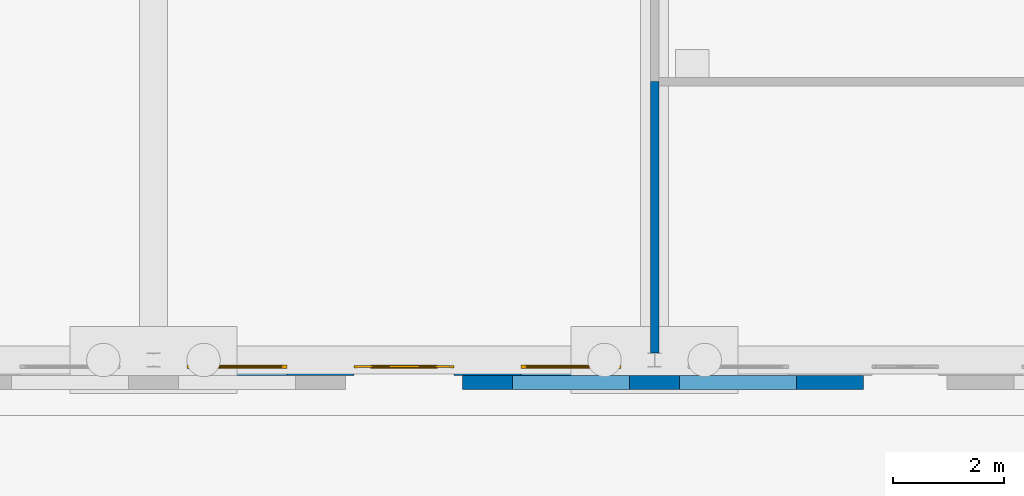
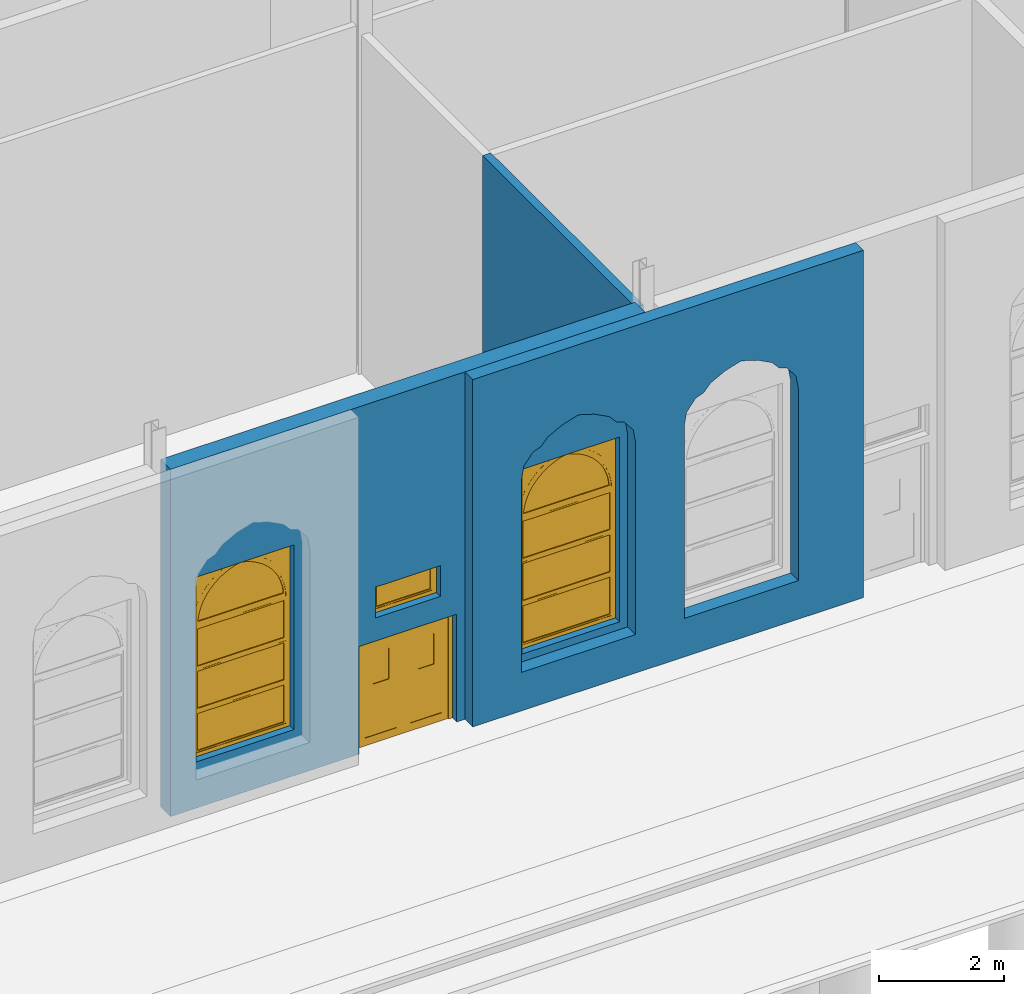
# One storey, part 92 of 250: 3 walls, 3 windows, 1 door, 4 openings.
"""IFC4 building model written with IfcOpenShell, lengths in metres."""

from ifc_helpers import new_model, si_unit, direction, frame, frame_2d, origin, place, context, subcontext, project, spatial, polyline, rectangle, outline, extrude, material, layer, layer_set, type_object, element, fill, save


model = new_model("IFC4")

# Units and contexts
model_context = context("Model", 3, precision=1e-05, world=origin(), true_north=direction((0.0, 1.0)))
body_context = subcontext(model_context, "Body", "Model", "MODEL_VIEW")
ifc_project = project(units=[si_unit("LENGTHUNIT", "METRE"), si_unit("AREAUNIT", "SQUARE_METRE"), si_unit("VOLUMEUNIT", "CUBIC_METRE"), si_unit("PLANEANGLEUNIT", "RADIAN"), si_unit("MASSUNIT", "GRAM", prefix="KILO")], contexts=[model_context])

# Site, building, storey
site_placement = place(None, origin())
site = spatial("IfcSite", under=ifc_project, at=site_placement, CompositionType="ELEMENT")
building_placement = place(site_placement, origin())
building = spatial("IfcBuilding", under=site, at=building_placement, Name="Baradari Gate Terminus", CompositionType="ELEMENT")
storey_placement = place(building_placement, origin())
storey = spatial("IfcBuildingStorey", under=building, at=storey_placement, Name="L00", CompositionType="ELEMENT", Elevation=0.0)

# Walls
ifc_material_1 = material(Name="Laterite masonry", Category="masonry")
ifc_layer_1 = layer(ifc_material_1, 0.25)
ifc_layer_set_1 = layer_set([ifc_layer_1], Name="Laterite masonry")
wall_type_1 = type_object("IfcWallType", Name="Laterite masonry wall WP-1 250", PredefinedType="SOLIDWALL", material=ifc_layer_set_1)
wall_1_placement = place(storey_placement, frame((86.550048828125, 8.594970703125, 0.0), z_axis=(0.0, 0.0, 1.0), x_axis=(1.0, 0.0, 0.0)))
element("IfcWall", 1, at=wall_1_placement, inside=storey, type_object=wall_type_1, Name="Front course SS 2c 1", PredefinedType="SOLIDWALL", context=body_context, shape_type="SweptSolid", body=[
    extrude(outline(polyline([(0.0, 0.0), (7.199951171875, 0.0), (7.199951171875, 6.767333984375), (0.0, 6.767333984375), (0.0, 0.0)]), holes=[polyline([(0.89990234375, 4.5), (0.94189453125, 4.751953125), (1.110107421875, 4.968017578125), (1.257080078125, 5.02197265625), (1.383056640625, 5.166015625), (1.656005859375, 5.31005859375), (1.949951171875, 5.39990234375), (2.243896484375, 5.31005859375), (2.51708984375, 5.166015625), (2.64306640625, 5.02197265625), (2.7900390625, 4.968017578125), (2.9580078125, 4.751953125), (3.0, 4.5), (3.0, 0.75), (0.89990234375, 0.75), (0.89990234375, 4.5)]), polyline([(3.89990234375, 4.5), (3.94189453125, 4.751953125), (4.110107421875, 4.968017578125), (4.257080078125, 5.02197265625), (4.383056640625, 5.166015625), (4.656005859375, 5.31005859375), (4.949951171875, 5.39990234375), (5.243896484375, 5.31005859375), (5.51708984375, 5.166015625), (5.64306640625, 5.02197265625), (5.7900390625, 4.968017578125), (5.9580078125, 4.751953125), (6.0, 4.5), (6.0, 0.75), (3.89990234375, 0.75), (3.89990234375, 4.5)])]), frame((0.0, 0.125, 0.0), z_axis=(0.0, -1.0, 0.0), x_axis=(1.0, 0.0, 0.0)), (0.0, 0.0, 1.0), 0.25),
])
ifc_material_2 = material(Name="Blockwork wall, plastered", Category="masonry")
ifc_layer_2 = layer(ifc_material_2, 0.14990234375)
ifc_layer_set_2 = layer_set([ifc_layer_2], Name="Blockwork wall, plastered")
wall_type_2 = type_object("IfcWallType", Name="Partition PT-2 150 EI 60", PredefinedType="PARTITIONING", material=ifc_layer_set_2)
wall_2_placement = place(storey_placement, frame((90.0, 14.0, 0.0), z_axis=(0.0, 0.0, 1.0), x_axis=(0.0, -1.0, 0.0)))
element("IfcWall", 2, at=wall_2_placement, inside=storey, type_object=wall_type_2, Name="PT-2 partition Bicycle Store / Station Security Office", PredefinedType="PARTITIONING", context=body_context, shape_type="SweptSolid", body=[
    extrude(rectangle(XDim=4.873046875, YDim=0.14990234375, at=frame_2d((2.4365234375, 0.0))), origin(), (0.0, 0.0, 1.0), 6.60009765625),
])

# Wall, openings, windows, door
ifc_material_3 = material(Name="Sandstone masonry", Category="masonry")
ifc_layer_3 = layer(ifc_material_3, 0.320068359375)
ifc_layer_set_3 = layer_set([ifc_layer_3], Name="Sandstone masonry")
wall_type_3 = type_object("IfcWallType", Name="Sandstone masonry wall WS-3 320", PredefinedType="SOLIDWALL", material=ifc_layer_set_3)
wall_3_placement = place(storey_placement, frame((81.127197265625, 8.880126953125, 0.0), z_axis=(0.0, 0.0, 1.0), x_axis=(1.0, 0.0, 0.0)))
wall_3 = element("IfcWall", 3, at=wall_3_placement, inside=storey, type_object=wall_type_3, Name="south front SS bay 10 L00", PredefinedType="SOLIDWALL", context=body_context, shape_type="SweptSolid", body=[
    extrude(rectangle(XDim=8.74560546875, YDim=0.320068359375, at=frame_2d((4.372802734375, 0.0))), origin(), (0.0, 0.0, 1.0), 6.767333984375),
])
opening_1_placement = place(wall_3_placement, frame((3.47265625, 0.0, 0.0)))
opening_1 = element("IfcOpeningElement", 4, at=opening_1_placement, cuts=wall_3, Name="Opening D00-047", PredefinedType="OPENING", context=body_context, shape_type="SweptSolid", body=[
    extrude(rectangle(XDim=1.800048828125, YDim=2.10009765625, at=frame_2d((0.89990234375, 1.050048828125))), frame((0.0, 0.169921875, 0.0), z_axis=(0.0, -1.0, 0.0), x_axis=(1.0, 0.0, 0.0)), (0.0, 0.0, 1.0), 0.340087890625),
])
opening_2_placement = place(wall_3_placement, frame((3.772705078125, 0.0, 2.550048828125)))
opening_2 = element("IfcOpeningElement", 5, at=opening_2_placement, cuts=wall_3, Name="Opening W10", PredefinedType="OPENING", context=body_context, shape_type="SweptSolid", body=[
    extrude(rectangle(XDim=1.199951171875, YDim=0.60009765625, at=frame_2d((0.60009765625, 0.300048828125))), frame((0.0, 0.169921875, 0.0), z_axis=(0.0, -1.0, 0.0), x_axis=(1.0, 0.0, 0.0)), (0.0, 0.0, 1.0), 0.340087890625),
])
opening_3_placement = place(wall_3_placement, frame((0.47265625, 0.0, 0.89990234375)))
opening_3 = element("IfcOpeningElement", 6, at=opening_3_placement, cuts=wall_3, Name="Opening W3", PredefinedType="OPENING", context=body_context, shape_type="SweptSolid", body=[
    extrude(rectangle(XDim=1.800048828125, YDim=3.60009765625, at=frame_2d((0.89990234375, 1.800048828125))), frame((0.0, 0.169921875, 0.0), z_axis=(0.0, -1.0, 0.0), x_axis=(1.0, 0.0, 0.0)), (0.0, 0.0, 1.0), 0.340087890625),
])
opening_4_placement = place(wall_3_placement, frame((6.47265625, 0.0, 0.89990234375)))
opening_4 = element("IfcOpeningElement", 7, at=opening_4_placement, cuts=wall_3, Name="Opening W3", PredefinedType="OPENING", context=body_context, shape_type="SweptSolid", body=[
    extrude(rectangle(XDim=1.800048828125, YDim=3.60009765625, at=frame_2d((0.89990234375, 1.800048828125))), frame((0.0, 0.169921875, 0.0), z_axis=(0.0, -1.0, 0.0), x_axis=(1.0, 0.0, 0.0)), (0.0, 0.0, 1.0), 0.340087890625),
])
ifc_material_4 = material(Name="Aluminium 6063-T6", Category="aluminium")
window_type_1 = type_object("IfcWindowType", Name="Door fanlight W10 1200x600", PartitioningType="SINGLE_PANEL", PredefinedType="WINDOW", material=ifc_material_4)
window_1_placement = place(opening_2_placement, origin())
window_1 = element("IfcWindow", 8, at=window_1_placement, inside=storey, type_object=window_type_1, Name="Fanlight over Bicycle Store", OverallHeight=0.6, OverallWidth=1.2, PartitioningType="SINGLE_PANEL", PredefinedType="WINDOW", context=body_context, shape_type="SweptSolid", body=[
    extrude(outline(polyline([(0.0, 0.0), (1.199951171875, 0.0), (1.199951171875, 0.60009765625), (0.0, 0.60009765625), (0.0, 0.0)]), holes=[polyline([(0.070068359375, 0.070068359375), (1.1298828125, 0.070068359375), (1.1298828125, 0.530029296875), (0.070068359375, 0.530029296875), (0.070068359375, 0.070068359375)])]), frame((0.0, 0.030029296875, 0.0), z_axis=(0.0, -1.0, 0.0), x_axis=(1.0, 0.0, 0.0)), (0.0, 0.0, 1.0), 0.06005859375),
    extrude(outline(polyline([(0.070068359375, 0.070068359375), (1.1298828125, 0.070068359375), (1.1298828125, 0.530029296875), (0.070068359375, 0.530029296875), (0.070068359375, 0.070068359375)]), holes=[polyline([(0.10009765625, 0.10009765625), (1.099853515625, 0.10009765625), (1.099853515625, 0.5), (0.10009765625, 0.5), (0.10009765625, 0.10009765625)])]), frame((0.0, 0.0224609375, 0.0), z_axis=(0.0, -1.0, 0.0), x_axis=(1.0, 0.0, 0.0)), (0.0, 0.0, 1.0), 0.044921875),
    extrude(rectangle(XDim=0.999755859375, YDim=0.39990234375, at=frame_2d((0.60009765625, 0.300048828125))), frame((0.0, 0.006103515625, 0.0), z_axis=(0.0, -1.0, 0.0), x_axis=(1.0, 0.0, 0.0)), (0.0, 0.0, 1.0), 0.01220703125),
])
fill(opening_2, window_1)
ifc_material_5 = material(Name="Steel S235", Category="steel")
door_type = type_object("IfcDoorType", Name="Store door pair, steel DT-5 1800x2100", OperationType="DOUBLE_DOOR_SINGLE_SWING", PredefinedType="DOOR", material=ifc_material_5)
door_placement = place(opening_1_placement, frame((1.800048828125, 0.0, 0.0), z_axis=(0.0, 0.0, 1.0), x_axis=(-1.0, 0.0, 0.0)))
door = element("IfcDoor", 9, at=door_placement, inside=storey, type_object=door_type, Name="Exit door Bicycle Store", OperationType="DOUBLE_DOOR_SINGLE_SWING", OverallHeight=2.1, OverallWidth=1.8, PredefinedType="DOOR", context=body_context, shape_type="SweptSolid", body=[
    extrude(outline(polyline([(0.0, 0.0), (0.070068359375, 0.0), (0.070068359375, 2.030029296875), (1.72998046875, 2.030029296875), (1.72998046875, 0.0), (1.800048828125, 0.0), (1.800048828125, 2.10009765625), (0.0, 2.10009765625), (0.0, 0.0)])), frame((0.0, 0.02490234375, 0.0), z_axis=(0.0, -1.0, 0.0), x_axis=(1.0, 0.0, 0.0)), (0.0, 0.0, 1.0), 0.050048828125),
    extrude(outline(polyline([(0.073974609375, 0.010009765625), (0.89697265625, 0.010009765625), (0.89697265625, 2.026123046875), (0.073974609375, 2.026123046875), (0.073974609375, 0.010009765625)]), holes=[polyline([(0.194091796875, 0.159912109375), (0.77685546875, 0.159912109375), (0.77685546875, 1.010009765625), (0.194091796875, 1.010009765625), (0.194091796875, 0.159912109375)]), polyline([(0.33544921875, 1.159912109375), (0.635498046875, 1.159912109375), (0.635498046875, 1.760009765625), (0.33544921875, 1.760009765625), (0.33544921875, 1.159912109375)])]), frame((0.0, 0.017333984375, 0.0), z_axis=(0.0, -1.0, 0.0), x_axis=(1.0, 0.0, 0.0)), (0.0, 0.0, 1.0), 0.034912109375),
    extrude(rectangle(XDim=0.582763671875, YDim=0.85009765625, at=frame_2d((0.4853515625, 0.5849609375))), frame((0.0, 0.008544921875, 0.0), z_axis=(0.0, -1.0, 0.0), x_axis=(1.0, 0.0, 0.0)), (0.0, 0.0, 1.0), 0.017333984375),
    extrude(rectangle(XDim=0.300048828125, YDim=0.60009765625, at=frame_2d((0.4853515625, 1.4599609375))), frame((0.0, 0.005859375, 0.0), z_axis=(0.0, -1.0, 0.0), x_axis=(1.0, 0.0, 0.0)), (0.0, 0.0, 1.0), 0.011962890625),
    extrude(outline(polyline([(0.903076171875, 0.010009765625), (1.72607421875, 0.010009765625), (1.72607421875, 2.026123046875), (0.903076171875, 2.026123046875), (0.903076171875, 0.010009765625)]), holes=[polyline([(1.023193359375, 0.159912109375), (1.60595703125, 0.159912109375), (1.60595703125, 1.010009765625), (1.023193359375, 1.010009765625), (1.023193359375, 0.159912109375)]), polyline([(1.16455078125, 1.159912109375), (1.464599609375, 1.159912109375), (1.464599609375, 1.760009765625), (1.16455078125, 1.760009765625), (1.16455078125, 1.159912109375)])]), frame((0.0, 0.017333984375, 0.0), z_axis=(0.0, -1.0, 0.0), x_axis=(1.0, 0.0, 0.0)), (0.0, 0.0, 1.0), 0.034912109375),
    extrude(rectangle(XDim=0.582763671875, YDim=0.85009765625, at=frame_2d((1.314453125, 0.5849609375))), frame((0.0, 0.008544921875, 0.0), z_axis=(0.0, -1.0, 0.0), x_axis=(1.0, 0.0, 0.0)), (0.0, 0.0, 1.0), 0.017333984375),
    extrude(rectangle(XDim=0.300048828125, YDim=0.60009765625, at=frame_2d((1.314453125, 1.4599609375))), frame((0.0, 0.005859375, 0.0), z_axis=(0.0, -1.0, 0.0), x_axis=(1.0, 0.0, 0.0)), (0.0, 0.0, 1.0), 0.011962890625),
])
fill(opening_1, door)
ifc_material_6 = material(Name="Aluminium 6063-T6", Category="aluminium")
window_type_2 = type_object("IfcWindowType", Name="Tall window, 3-light W3 1800x3600", PartitioningType="TRIPLE_PANEL_HORIZONTAL", PredefinedType="WINDOW", material=ifc_material_6)
window_2_placement = place(opening_3_placement, origin())
window_2 = element("IfcWindow", 10, at=window_2_placement, inside=storey, type_object=window_type_2, Name="Window W3 SS/09", OverallHeight=3.6, OverallWidth=1.8, PartitioningType="TRIPLE_PANEL_HORIZONTAL", PredefinedType="WINDOW", context=body_context, shape_type="SweptSolid", body=[
    extrude(outline(polyline([(0.0, 0.0), (1.800048828125, 0.0), (1.800048828125, 2.5400390625), (1.792724609375, 2.665771484375), (1.7705078125, 2.789794921875), (1.734130859375, 2.910400390625), (1.683837890625, 3.02587890625), (1.620361328125, 3.134765625), (1.544677734375, 3.2353515625), (1.457763671875, 3.326416015625), (1.360595703125, 3.40673828125), (1.2548828125, 3.47509765625), (1.1416015625, 3.530517578125), (1.02294921875, 3.572509765625), (0.89990234375, 3.60009765625), (0.777099609375, 3.572509765625), (0.658447265625, 3.530517578125), (0.545166015625, 3.47509765625), (0.439453125, 3.40673828125), (0.34228515625, 3.326416015625), (0.25537109375, 3.2353515625), (0.1796875, 3.134765625), (0.1162109375, 3.02587890625), (0.06591796875, 2.910400390625), (0.029541015625, 2.789794921875), (0.00732421875, 2.665771484375), (0.0, 2.5400390625), (0.0, 0.0)]), holes=[polyline([(0.070068359375, 0.070068359375), (1.72998046875, 0.070068359375), (1.72998046875, 2.5400390625), (1.72314453125, 2.65673828125), (1.702880859375, 2.771728515625), (1.66943359375, 2.8837890625), (1.623291015625, 2.990966796875), (1.564697265625, 3.09228515625), (1.4951171875, 3.18603515625), (1.414794921875, 3.27099609375), (1.325439453125, 3.34619140625), (1.227783203125, 3.410400390625), (1.12353515625, 3.462890625), (1.013671875, 3.5029296875), (0.89990234375, 3.530029296875), (0.786376953125, 3.5029296875), (0.676513671875, 3.462890625), (0.572265625, 3.410400390625), (0.474609375, 3.34619140625), (0.38525390625, 3.27099609375), (0.304931640625, 3.18603515625), (0.2353515625, 3.09228515625), (0.1767578125, 2.990966796875), (0.130615234375, 2.8837890625), (0.09716796875, 2.771728515625), (0.076904296875, 2.65673828125), (0.070068359375, 2.5400390625), (0.070068359375, 0.070068359375)])]), frame((0.0, 0.030029296875, 0.0), z_axis=(0.0, -1.0, 0.0), x_axis=(1.0, 0.0, 0.0)), (0.0, 0.0, 1.0), 0.06005859375),
    extrude(outline(polyline([(0.0, 2.5400390625), (0.00732421875, 2.665771484375), (0.029541015625, 2.789794921875), (0.06591796875, 2.910400390625), (0.1162109375, 3.02587890625), (0.1796875, 3.134765625), (0.25537109375, 3.2353515625), (0.34228515625, 3.326416015625), (0.439453125, 3.40673828125), (0.545166015625, 3.47509765625), (0.658447265625, 3.530517578125), (0.777099609375, 3.572509765625), (0.89990234375, 3.60009765625), (0.0, 3.60009765625), (0.0, 2.5400390625)])), frame((0.0, 0.028076171875, 0.0), z_axis=(0.0, -1.0, 0.0), x_axis=(1.0, 0.0, 0.0)), (0.0, 0.0, 1.0), 0.05615234375),
    extrude(outline(polyline([(0.89990234375, 3.60009765625), (1.02294921875, 3.572509765625), (1.1416015625, 3.530517578125), (1.2548828125, 3.47509765625), (1.360595703125, 3.40673828125), (1.457763671875, 3.326416015625), (1.544677734375, 3.2353515625), (1.620361328125, 3.134765625), (1.683837890625, 3.02587890625), (1.734130859375, 2.910400390625), (1.7705078125, 2.789794921875), (1.792724609375, 2.665771484375), (1.800048828125, 2.5400390625), (1.800048828125, 3.60009765625), (0.89990234375, 3.60009765625)])), frame((0.0, 0.027099609375, 0.0), z_axis=(0.0, -1.0, 0.0), x_axis=(1.0, 0.0, 0.0)), (0.0, 0.0, 1.0), 0.05419921875),
    extrude(outline(polyline([(1.7275390625, 2.580078125), (0.072509765625, 2.580078125), (0.070068359375, 2.5400390625), (0.070068359375, 2.5), (1.72998046875, 2.5), (1.72998046875, 2.5400390625), (1.7275390625, 2.580078125)])), frame((0.0, 0.02099609375, 0.0), z_axis=(0.0, -1.0, 0.0), x_axis=(1.0, 0.0, 0.0)), (0.0, 0.0, 1.0), 0.0419921875),
    extrude(rectangle(XDim=1.659912109375, YDim=0.0400390625, at=frame_2d((0.89990234375, 0.873291015625))), frame((0.0, 0.021484375, 0.0), z_axis=(0.0, -1.0, 0.0), x_axis=(1.0, 0.0, 0.0)), (0.0, 0.0, 1.0), 0.04296875),
    extrude(rectangle(XDim=1.659912109375, YDim=0.0400390625, at=frame_2d((0.89990234375, 1.69677734375))), frame((0.0, 0.021484375, 0.0), z_axis=(0.0, -1.0, 0.0), x_axis=(1.0, 0.0, 0.0)), (0.0, 0.0, 1.0), 0.04296875),
    extrude(outline(polyline([(0.070068359375, 0.070068359375), (1.72998046875, 0.070068359375), (1.72998046875, 0.853271484375), (0.070068359375, 0.853271484375), (0.070068359375, 0.070068359375)]), holes=[polyline([(0.10009765625, 0.10009765625), (1.699951171875, 0.10009765625), (1.699951171875, 0.8232421875), (0.10009765625, 0.8232421875), (0.10009765625, 0.10009765625)])]), frame((0.0, 0.0224609375, 0.0), z_axis=(0.0, -1.0, 0.0), x_axis=(1.0, 0.0, 0.0)), (0.0, 0.0, 1.0), 0.044921875),
    extrude(rectangle(XDim=1.599853515625, YDim=0.72314453125, at=frame_2d((0.89990234375, 0.461669921875))), frame((0.0, 0.006103515625, 0.0), z_axis=(0.0, -1.0, 0.0), x_axis=(1.0, 0.0, 0.0)), (0.0, 0.0, 1.0), 0.01220703125),
    extrude(outline(polyline([(0.070068359375, 0.893310546875), (1.72998046875, 0.893310546875), (1.72998046875, 1.6767578125), (0.070068359375, 1.6767578125), (0.070068359375, 0.893310546875)]), holes=[polyline([(0.10009765625, 0.92333984375), (1.699951171875, 0.92333984375), (1.699951171875, 1.646728515625), (0.10009765625, 1.646728515625), (0.10009765625, 0.92333984375)])]), frame((0.0, 0.0224609375, 0.0), z_axis=(0.0, -1.0, 0.0), x_axis=(1.0, 0.0, 0.0)), (0.0, 0.0, 1.0), 0.044921875),
    extrude(rectangle(XDim=1.599853515625, YDim=0.723388671875, at=frame_2d((0.89990234375, 1.28515625))), frame((0.0, 0.006103515625, 0.0), z_axis=(0.0, -1.0, 0.0), x_axis=(1.0, 0.0, 0.0)), (0.0, 0.0, 1.0), 0.01220703125),
    extrude(outline(polyline([(0.070068359375, 1.716796875), (1.72998046875, 1.716796875), (1.72998046875, 2.5), (0.070068359375, 2.5), (0.070068359375, 1.716796875)]), holes=[polyline([(0.10009765625, 1.746826171875), (1.699951171875, 1.746826171875), (1.699951171875, 2.469970703125), (0.10009765625, 2.469970703125), (0.10009765625, 1.746826171875)])]), frame((0.0, 0.0224609375, 0.0), z_axis=(0.0, -1.0, 0.0), x_axis=(1.0, 0.0, 0.0)), (0.0, 0.0, 1.0), 0.044921875),
    extrude(rectangle(XDim=1.599853515625, YDim=0.72314453125, at=frame_2d((0.89990234375, 2.1083984375))), frame((0.0, 0.006103515625, 0.0), z_axis=(0.0, -1.0, 0.0), x_axis=(1.0, 0.0, 0.0)), (0.0, 0.0, 1.0), 0.01220703125),
    extrude(outline(polyline([(0.072509765625, 2.580078125), (1.7275390625, 2.580078125), (1.72314453125, 2.65673828125), (1.702880859375, 2.771728515625), (1.66943359375, 2.8837890625), (1.623291015625, 2.990966796875), (1.564697265625, 3.09228515625), (1.4951171875, 3.18603515625), (1.414794921875, 3.27099609375), (1.325439453125, 3.34619140625), (1.227783203125, 3.410400390625), (1.12353515625, 3.462890625), (1.013671875, 3.5029296875), (0.89990234375, 3.530029296875), (0.786376953125, 3.5029296875), (0.676513671875, 3.462890625), (0.572265625, 3.410400390625), (0.474609375, 3.34619140625), (0.38525390625, 3.27099609375), (0.304931640625, 3.18603515625), (0.2353515625, 3.09228515625), (0.1767578125, 2.990966796875), (0.130615234375, 2.8837890625), (0.09716796875, 2.771728515625), (0.076904296875, 2.65673828125), (0.072509765625, 2.580078125)]), holes=[polyline([(0.11181640625, 2.652587890625), (0.13134765625, 2.763671875), (0.16357421875, 2.871826171875), (0.2080078125, 2.975341796875), (0.2646484375, 3.072998046875), (0.331787109375, 3.16357421875), (0.409423828125, 3.24560546875), (0.49560546875, 3.318115234375), (0.58984375, 3.380126953125), (0.6904296875, 3.4306640625), (0.79638671875, 3.46923828125), (0.89990234375, 3.494140625), (1.003662109375, 3.46923828125), (1.109619140625, 3.4306640625), (1.210205078125, 3.380126953125), (1.304443359375, 3.318115234375), (1.390625, 3.24560546875), (1.46826171875, 3.16357421875), (1.535400390625, 3.072998046875), (1.592041015625, 2.975341796875), (1.636474609375, 2.871826171875), (1.668701171875, 2.763671875), (1.688232421875, 2.652587890625), (1.6904296875, 2.614990234375), (0.109619140625, 2.614990234375), (0.11181640625, 2.652587890625)])]), frame((0.0, 0.0224609375, 0.0), z_axis=(0.0, -1.0, 0.0), x_axis=(1.0, 0.0, 0.0)), (0.0, 0.0, 1.0), 0.044921875),
    extrude(outline(polyline([(0.109619140625, 2.614990234375), (1.6904296875, 2.614990234375), (1.688232421875, 2.652587890625), (1.668701171875, 2.763671875), (1.636474609375, 2.871826171875), (1.592041015625, 2.975341796875), (1.535400390625, 3.072998046875), (1.46826171875, 3.16357421875), (1.390625, 3.24560546875), (1.304443359375, 3.318115234375), (1.210205078125, 3.380126953125), (1.109619140625, 3.4306640625), (1.003662109375, 3.46923828125), (0.89990234375, 3.494140625), (0.79638671875, 3.46923828125), (0.6904296875, 3.4306640625), (0.58984375, 3.380126953125), (0.49560546875, 3.318115234375), (0.409423828125, 3.24560546875), (0.331787109375, 3.16357421875), (0.2646484375, 3.072998046875), (0.2080078125, 2.975341796875), (0.16357421875, 2.871826171875), (0.13134765625, 2.763671875), (0.11181640625, 2.652587890625), (0.109619140625, 2.614990234375)])), frame((0.0, 0.006103515625, 0.0), z_axis=(0.0, -1.0, 0.0), x_axis=(1.0, 0.0, 0.0)), (0.0, 0.0, 1.0), 0.01220703125),
])
fill(opening_3, window_2)
window_3_placement = place(opening_4_placement, origin())
window_3 = element("IfcWindow", 11, at=window_3_placement, inside=storey, type_object=window_type_2, Name="Window W3 SS/09", OverallHeight=3.6, OverallWidth=1.8, PartitioningType="TRIPLE_PANEL_HORIZONTAL", PredefinedType="WINDOW", context=body_context, shape_type="SweptSolid", body=[
    extrude(outline(polyline([(0.0, 0.0), (1.800048828125, 0.0), (1.800048828125, 2.5400390625), (1.792724609375, 2.665771484375), (1.7705078125, 2.789794921875), (1.734130859375, 2.910400390625), (1.683837890625, 3.02587890625), (1.620361328125, 3.134765625), (1.544677734375, 3.2353515625), (1.457763671875, 3.326416015625), (1.360595703125, 3.40673828125), (1.2548828125, 3.47509765625), (1.1416015625, 3.530517578125), (1.02294921875, 3.572509765625), (0.89990234375, 3.60009765625), (0.777099609375, 3.572509765625), (0.658447265625, 3.530517578125), (0.545166015625, 3.47509765625), (0.439453125, 3.40673828125), (0.34228515625, 3.326416015625), (0.25537109375, 3.2353515625), (0.1796875, 3.134765625), (0.1162109375, 3.02587890625), (0.06591796875, 2.910400390625), (0.029541015625, 2.789794921875), (0.00732421875, 2.665771484375), (0.0, 2.5400390625), (0.0, 0.0)]), holes=[polyline([(0.070068359375, 0.070068359375), (1.72998046875, 0.070068359375), (1.72998046875, 2.5400390625), (1.72314453125, 2.65673828125), (1.702880859375, 2.771728515625), (1.66943359375, 2.8837890625), (1.623291015625, 2.990966796875), (1.564697265625, 3.09228515625), (1.4951171875, 3.18603515625), (1.414794921875, 3.27099609375), (1.325439453125, 3.34619140625), (1.227783203125, 3.410400390625), (1.12353515625, 3.462890625), (1.013671875, 3.5029296875), (0.89990234375, 3.530029296875), (0.786376953125, 3.5029296875), (0.676513671875, 3.462890625), (0.572265625, 3.410400390625), (0.474609375, 3.34619140625), (0.38525390625, 3.27099609375), (0.304931640625, 3.18603515625), (0.2353515625, 3.09228515625), (0.1767578125, 2.990966796875), (0.130615234375, 2.8837890625), (0.09716796875, 2.771728515625), (0.076904296875, 2.65673828125), (0.070068359375, 2.5400390625), (0.070068359375, 0.070068359375)])]), frame((0.0, 0.030029296875, 0.0), z_axis=(0.0, -1.0, 0.0), x_axis=(1.0, 0.0, 0.0)), (0.0, 0.0, 1.0), 0.06005859375),
    extrude(outline(polyline([(0.0, 2.5400390625), (0.00732421875, 2.665771484375), (0.029541015625, 2.789794921875), (0.06591796875, 2.910400390625), (0.1162109375, 3.02587890625), (0.1796875, 3.134765625), (0.25537109375, 3.2353515625), (0.34228515625, 3.326416015625), (0.439453125, 3.40673828125), (0.545166015625, 3.47509765625), (0.658447265625, 3.530517578125), (0.777099609375, 3.572509765625), (0.89990234375, 3.60009765625), (0.0, 3.60009765625), (0.0, 2.5400390625)])), frame((0.0, 0.028076171875, 0.0), z_axis=(0.0, -1.0, 0.0), x_axis=(1.0, 0.0, 0.0)), (0.0, 0.0, 1.0), 0.05615234375),
    extrude(outline(polyline([(0.89990234375, 3.60009765625), (1.02294921875, 3.572509765625), (1.1416015625, 3.530517578125), (1.2548828125, 3.47509765625), (1.360595703125, 3.40673828125), (1.457763671875, 3.326416015625), (1.544677734375, 3.2353515625), (1.620361328125, 3.134765625), (1.683837890625, 3.02587890625), (1.734130859375, 2.910400390625), (1.7705078125, 2.789794921875), (1.792724609375, 2.665771484375), (1.800048828125, 2.5400390625), (1.800048828125, 3.60009765625), (0.89990234375, 3.60009765625)])), frame((0.0, 0.027099609375, 0.0), z_axis=(0.0, -1.0, 0.0), x_axis=(1.0, 0.0, 0.0)), (0.0, 0.0, 1.0), 0.05419921875),
    extrude(outline(polyline([(1.7275390625, 2.580078125), (0.072509765625, 2.580078125), (0.070068359375, 2.5400390625), (0.070068359375, 2.5), (1.72998046875, 2.5), (1.72998046875, 2.5400390625), (1.7275390625, 2.580078125)])), frame((0.0, 0.02099609375, 0.0), z_axis=(0.0, -1.0, 0.0), x_axis=(1.0, 0.0, 0.0)), (0.0, 0.0, 1.0), 0.0419921875),
    extrude(rectangle(XDim=1.659912109375, YDim=0.0400390625, at=frame_2d((0.89990234375, 0.873291015625))), frame((0.0, 0.021484375, 0.0), z_axis=(0.0, -1.0, 0.0), x_axis=(1.0, 0.0, 0.0)), (0.0, 0.0, 1.0), 0.04296875),
    extrude(rectangle(XDim=1.659912109375, YDim=0.0400390625, at=frame_2d((0.89990234375, 1.69677734375))), frame((0.0, 0.021484375, 0.0), z_axis=(0.0, -1.0, 0.0), x_axis=(1.0, 0.0, 0.0)), (0.0, 0.0, 1.0), 0.04296875),
    extrude(outline(polyline([(0.070068359375, 0.070068359375), (1.72998046875, 0.070068359375), (1.72998046875, 0.853271484375), (0.070068359375, 0.853271484375), (0.070068359375, 0.070068359375)]), holes=[polyline([(0.10009765625, 0.10009765625), (1.699951171875, 0.10009765625), (1.699951171875, 0.8232421875), (0.10009765625, 0.8232421875), (0.10009765625, 0.10009765625)])]), frame((0.0, 0.0224609375, 0.0), z_axis=(0.0, -1.0, 0.0), x_axis=(1.0, 0.0, 0.0)), (0.0, 0.0, 1.0), 0.044921875),
    extrude(rectangle(XDim=1.599853515625, YDim=0.72314453125, at=frame_2d((0.89990234375, 0.461669921875))), frame((0.0, 0.006103515625, 0.0), z_axis=(0.0, -1.0, 0.0), x_axis=(1.0, 0.0, 0.0)), (0.0, 0.0, 1.0), 0.01220703125),
    extrude(outline(polyline([(0.070068359375, 0.893310546875), (1.72998046875, 0.893310546875), (1.72998046875, 1.6767578125), (0.070068359375, 1.6767578125), (0.070068359375, 0.893310546875)]), holes=[polyline([(0.10009765625, 0.92333984375), (1.699951171875, 0.92333984375), (1.699951171875, 1.646728515625), (0.10009765625, 1.646728515625), (0.10009765625, 0.92333984375)])]), frame((0.0, 0.0224609375, 0.0), z_axis=(0.0, -1.0, 0.0), x_axis=(1.0, 0.0, 0.0)), (0.0, 0.0, 1.0), 0.044921875),
    extrude(rectangle(XDim=1.599853515625, YDim=0.723388671875, at=frame_2d((0.89990234375, 1.28515625))), frame((0.0, 0.006103515625, 0.0), z_axis=(0.0, -1.0, 0.0), x_axis=(1.0, 0.0, 0.0)), (0.0, 0.0, 1.0), 0.01220703125),
    extrude(outline(polyline([(0.070068359375, 1.716796875), (1.72998046875, 1.716796875), (1.72998046875, 2.5), (0.070068359375, 2.5), (0.070068359375, 1.716796875)]), holes=[polyline([(0.10009765625, 1.746826171875), (1.699951171875, 1.746826171875), (1.699951171875, 2.469970703125), (0.10009765625, 2.469970703125), (0.10009765625, 1.746826171875)])]), frame((0.0, 0.0224609375, 0.0), z_axis=(0.0, -1.0, 0.0), x_axis=(1.0, 0.0, 0.0)), (0.0, 0.0, 1.0), 0.044921875),
    extrude(rectangle(XDim=1.599853515625, YDim=0.72314453125, at=frame_2d((0.89990234375, 2.1083984375))), frame((0.0, 0.006103515625, 0.0), z_axis=(0.0, -1.0, 0.0), x_axis=(1.0, 0.0, 0.0)), (0.0, 0.0, 1.0), 0.01220703125),
    extrude(outline(polyline([(0.072509765625, 2.580078125), (1.7275390625, 2.580078125), (1.72314453125, 2.65673828125), (1.702880859375, 2.771728515625), (1.66943359375, 2.8837890625), (1.623291015625, 2.990966796875), (1.564697265625, 3.09228515625), (1.4951171875, 3.18603515625), (1.414794921875, 3.27099609375), (1.325439453125, 3.34619140625), (1.227783203125, 3.410400390625), (1.12353515625, 3.462890625), (1.013671875, 3.5029296875), (0.89990234375, 3.530029296875), (0.786376953125, 3.5029296875), (0.676513671875, 3.462890625), (0.572265625, 3.410400390625), (0.474609375, 3.34619140625), (0.38525390625, 3.27099609375), (0.304931640625, 3.18603515625), (0.2353515625, 3.09228515625), (0.1767578125, 2.990966796875), (0.130615234375, 2.8837890625), (0.09716796875, 2.771728515625), (0.076904296875, 2.65673828125), (0.072509765625, 2.580078125)]), holes=[polyline([(0.11181640625, 2.652587890625), (0.13134765625, 2.763671875), (0.16357421875, 2.871826171875), (0.2080078125, 2.975341796875), (0.2646484375, 3.072998046875), (0.331787109375, 3.16357421875), (0.409423828125, 3.24560546875), (0.49560546875, 3.318115234375), (0.58984375, 3.380126953125), (0.6904296875, 3.4306640625), (0.79638671875, 3.46923828125), (0.89990234375, 3.494140625), (1.003662109375, 3.46923828125), (1.109619140625, 3.4306640625), (1.210205078125, 3.380126953125), (1.304443359375, 3.318115234375), (1.390625, 3.24560546875), (1.46826171875, 3.16357421875), (1.535400390625, 3.072998046875), (1.592041015625, 2.975341796875), (1.636474609375, 2.871826171875), (1.668701171875, 2.763671875), (1.688232421875, 2.652587890625), (1.6904296875, 2.614990234375), (0.109619140625, 2.614990234375), (0.11181640625, 2.652587890625)])]), frame((0.0, 0.0224609375, 0.0), z_axis=(0.0, -1.0, 0.0), x_axis=(1.0, 0.0, 0.0)), (0.0, 0.0, 1.0), 0.044921875),
    extrude(outline(polyline([(0.109619140625, 2.614990234375), (1.6904296875, 2.614990234375), (1.688232421875, 2.652587890625), (1.668701171875, 2.763671875), (1.636474609375, 2.871826171875), (1.592041015625, 2.975341796875), (1.535400390625, 3.072998046875), (1.46826171875, 3.16357421875), (1.390625, 3.24560546875), (1.304443359375, 3.318115234375), (1.210205078125, 3.380126953125), (1.109619140625, 3.4306640625), (1.003662109375, 3.46923828125), (0.89990234375, 3.494140625), (0.79638671875, 3.46923828125), (0.6904296875, 3.4306640625), (0.58984375, 3.380126953125), (0.49560546875, 3.318115234375), (0.409423828125, 3.24560546875), (0.331787109375, 3.16357421875), (0.2646484375, 3.072998046875), (0.2080078125, 2.975341796875), (0.16357421875, 2.871826171875), (0.13134765625, 2.763671875), (0.11181640625, 2.652587890625), (0.109619140625, 2.614990234375)])), frame((0.0, 0.006103515625, 0.0), z_axis=(0.0, -1.0, 0.0), x_axis=(1.0, 0.0, 0.0)), (0.0, 0.0, 1.0), 0.01220703125),
])
fill(opening_4, window_3)

save(model, "model.ifc")
